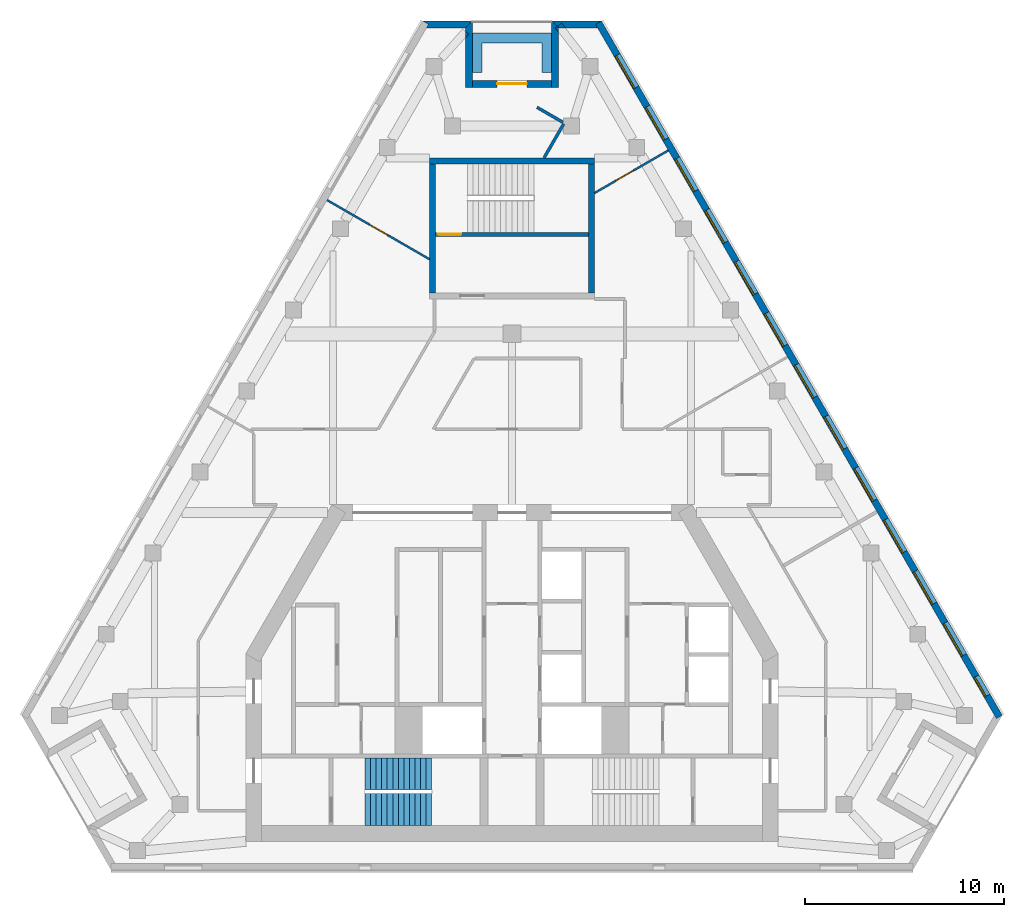
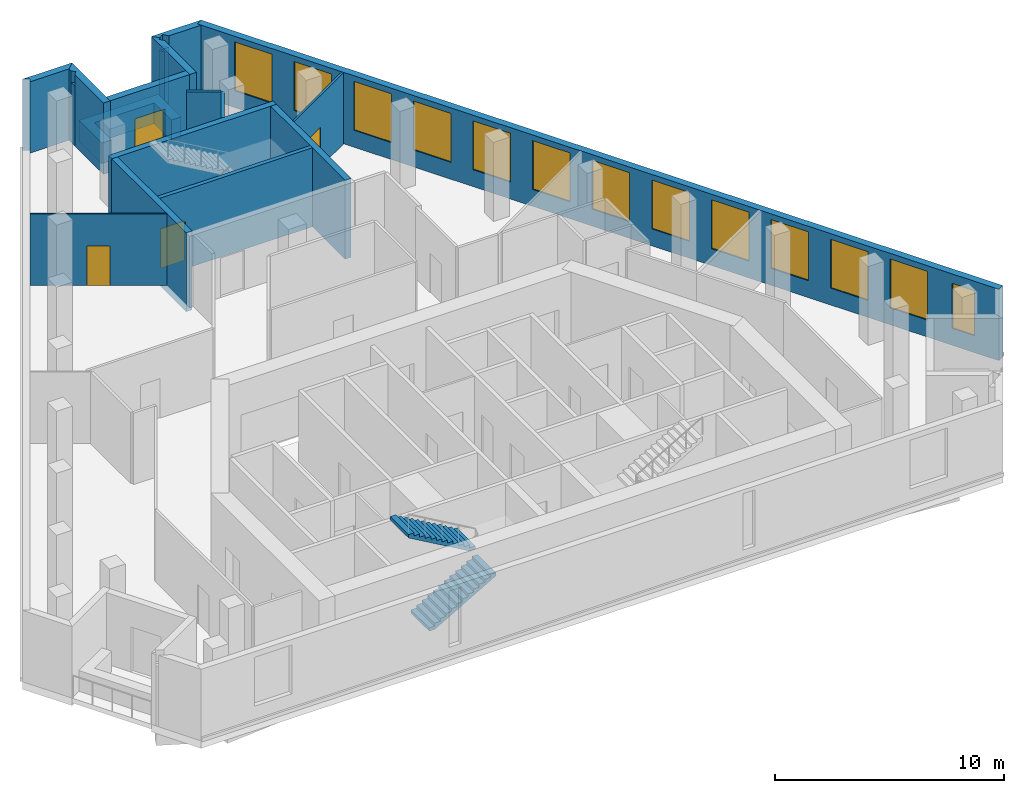
# One storey, part 6 of 8: 18 walls, 13 windows, 4 doors, 2 stair flights, 17 openings, 1 element without a shape of its own.
"""IFC4 building model written with IfcOpenShell, lengths in metres."""

from ifc_helpers import new_model, si_unit, direction, frame, frame_2d, origin, place, context, subcontext, project, spatial, polyline, rectangle, outline, extrude, material, layer, layer_set, type_object, element, fill, aggregate, save


model = new_model("IFC4")

# Units and contexts
model_context = context("Model", 3, precision=1e-05, world=origin(), true_north=direction((0.0, 1.0)))
body_context = subcontext(model_context, "Body", "Model", "MODEL_VIEW")
ifc_project = project(units=[si_unit("LENGTHUNIT", "METRE"), si_unit("AREAUNIT", "SQUARE_METRE"), si_unit("VOLUMEUNIT", "CUBIC_METRE"), si_unit("PLANEANGLEUNIT", "RADIAN"), si_unit("MASSUNIT", "GRAM", prefix="KILO")], contexts=[model_context])

# Site, building, storey
site_placement = place(None, origin())
site = spatial("IfcSite", under=ifc_project, at=site_placement, CompositionType="ELEMENT")
building_placement = place(site_placement, origin())
building = spatial("IfcBuilding", under=site, at=building_placement, Name="Fogline Exchange Tower", CompositionType="ELEMENT")
storey_placement = place(building_placement, frame((0.0, 0.0, 314.10009765625)))
storey = spatial("IfcBuildingStorey", under=building, at=storey_placement, Name="L71", CompositionType="ELEMENT", Elevation=314.10009765625)

# Wall, opening, door
ifc_material_1 = material(Name="Concrete C40", Category="concrete")
ifc_layer_1 = layer(ifc_material_1, 0.199951171875)
ifc_layer_set_1 = layer_set([ifc_layer_1], Name="CW20R")
wall_type_1 = type_object("IfcWallType", Name="CW20R", PredefinedType="SOLIDWALL", material=ifc_layer_set_1)
wall_1_placement = place(storey_placement, frame((-3.85009765625, 32.007080078125, -0.400146484375), z_axis=(0.0, 0.0, 1.0), x_axis=(1.0, 0.0, 0.0)))
wall_1 = element("IfcWall", 1, at=wall_1_placement, inside=storey, type_object=wall_type_1, Name="Stair enclosure wall ST3", PredefinedType="SOLIDWALL", context=body_context, shape_type="SweptSolid", body=[
    extrude(rectangle(XDim=7.7001953125, YDim=0.199951171875, at=frame_2d((3.85009765625, 0.0))), origin(), (0.0, 0.0, 1.0), 4.199951171875),
])
opening_1_placement = place(wall_1_placement, frame((0.10009765625, 0.0, 0.39990234375)))
opening_1 = element("IfcOpeningElement", 2, at=opening_1_placement, cuts=wall_1, Name="Opening T22-C023", PredefinedType="OPENING", context=body_context, shape_type="SweptSolid", body=[
    extrude(rectangle(XDim=1.199951171875, YDim=2.10009765625, at=frame_2d((0.60009765625, 1.050048828125))), frame((0.0, 0.10986328125, 0.0), z_axis=(0.0, -1.0, 0.0), x_axis=(1.0, 0.0, 0.0)), (0.0, 0.0, 1.0), 0.219970703125),
])
ifc_material_2 = material(Name="Steel and timber fire door", Category="steel")
door_type_1 = type_object("IfcDoorType", Name="D-ST1", OperationType="SINGLE_SWING_LEFT", PredefinedType="DOOR", material=ifc_material_2)
door_1_placement = place(opening_1_placement, origin())
door_1 = element("IfcDoor", 3, at=door_1_placement, inside=storey, type_object=door_type_1, Name="Stair door ST3", OperationType="SINGLE_SWING_LEFT", OverallHeight=2.10009765625, OverallWidth=1.199951171875, PredefinedType="DOOR", context=body_context, shape_type="SweptSolid", body=[
    extrude(rectangle(XDim=1.199951171875, YDim=2.10009765625, at=frame_2d((0.60009765625, 1.050048828125))), frame((0.0, 0.02490234375, 0.0), z_axis=(0.0, -1.0, 0.0), x_axis=(1.0, 0.0, 0.0)), (0.0, 0.0, 1.0), 0.050048828125),
])
fill(opening_1, door_1)

# Walls
ifc_layer_2 = layer(ifc_material_1, 0.300048828125)
ifc_layer_set_2 = layer_set([ifc_layer_2], Name="CW30")
wall_type_2 = type_object("IfcWallType", Name="CW30", PredefinedType="SOLIDWALL", material=ifc_layer_set_2)
wall_2_placement = place(storey_placement, frame((-4.14990234375, 35.70703125, -0.400146484375), z_axis=(0.0, 0.0, 1.0), x_axis=(1.0, 0.0, 0.0)))
element("IfcWall", 4, at=wall_2_placement, inside=storey, type_object=wall_type_2, Name="Stair enclosure wall ST3", PredefinedType="SOLIDWALL", context=body_context, shape_type="SweptSolid", body=[
    extrude(rectangle(XDim=8.2998046875, YDim=0.300048828125, at=frame_2d((4.14990234375, 0.0))), origin(), (0.0, 0.0, 1.0), 4.199951171875),
])
for number, where, z_axis, x_axis, name in (
    (5, (-4.0, 29.056884765625, -0.400146484375), (0.0, 0.0, 1.0), (0.0, 1.0, 0.0), "Stair enclosure wall ST3"),
    (6, (4.0, 29.056884765625, -0.400146484375), (0.0, 0.0, 1.0), (0.0, 1.0, 0.0), "Stair enclosure wall ST3"),
):
    element("IfcWall", number, at=place(storey_placement, frame(where, z_axis=z_axis, x_axis=x_axis)), inside=storey, type_object=wall_type_2, Name=name, PredefinedType="SOLIDWALL", context=body_context, shape_type="SweptSolid", body=[
        extrude(rectangle(XDim=6.5, YDim=0.300048828125, at=frame_2d((3.25, 0.0))), origin(), (0.0, 0.0, 1.0), 4.199951171875),
    ])

# Wall, openings, windows
ifc_material_3 = material(Name="Brick masonry", Category="masonry")
ifc_layer_3 = layer(ifc_material_3, 0.340087890625)
ifc_layer_set_3 = layer_set([ifc_layer_3], Name="FW1")
wall_type_3 = type_object("IfcWallType", Name="FW1", PredefinedType="SOLIDWALL", material=ifc_layer_set_3)
wall_3_placement = place(storey_placement, frame((24.532470703125, 7.709228515625, 0.0), z_axis=(0.0, 0.0, 1.0), x_axis=(-0.499998406252, 0.866026323933, 0.0)))
wall_3 = element("IfcWall", 7, at=wall_3_placement, inside=storey, type_object=wall_type_3, Name="Brick wall L71 E", PredefinedType="SOLIDWALL", context=body_context, shape_type="SweptSolid", body=[
    extrude(rectangle(XDim=40.359619140625, YDim=0.340087890625, at=frame_2d((20.1796875, 0.0))), origin(), (0.0, 0.0, 1.0), 3.7998046875),
])
opening_2_placement = place(wall_3_placement, frame((3.58984375, 0.0, 0.89990234375)))
opening_2 = element("IfcOpeningElement", 8, at=opening_2_placement, cuts=wall_3, Name="Opening W3", PredefinedType="OPENING", context=body_context, shape_type="SweptSolid", body=[
    extrude(rectangle(XDim=1.885009765625, YDim=2.60009765625, at=frame_2d((0.9423828125, 1.300048828125))), frame((0.0, 0.18017578125, 0.0), z_axis=(0.0, -1.0, 0.0), x_axis=(1.0, 0.0, 0.0)), (0.0, 0.0, 1.0), 0.360107421875),
])
opening_3_placement = place(wall_3_placement, frame((6.58984375, 0.0, 0.89990234375)))
opening_3 = element("IfcOpeningElement", 9, at=opening_3_placement, cuts=wall_3, Name="Opening W3", PredefinedType="OPENING", context=body_context, shape_type="SweptSolid", body=[
    extrude(rectangle(XDim=1.885009765625, YDim=2.60009765625, at=frame_2d((0.9423828125, 1.300048828125))), frame((0.0, 0.18017578125, 0.0), z_axis=(0.0, -1.0, 0.0), x_axis=(1.0, 0.0, 0.0)), (0.0, 0.0, 1.0), 0.360107421875),
])
opening_4_placement = place(wall_3_placement, frame((9.58984375, 0.0, 0.89990234375)))
opening_4 = element("IfcOpeningElement", 10, at=opening_4_placement, cuts=wall_3, Name="Opening W3", PredefinedType="OPENING", context=body_context, shape_type="SweptSolid", body=[
    extrude(rectangle(XDim=1.885009765625, YDim=2.60009765625, at=frame_2d((0.9423828125, 1.300048828125))), frame((0.0, 0.18017578125, 0.0), z_axis=(0.0, -1.0, 0.0), x_axis=(1.0, 0.0, 0.0)), (0.0, 0.0, 1.0), 0.360107421875),
])
opening_5_placement = place(wall_3_placement, frame((12.58984375, 0.0, 0.89990234375)))
opening_5 = element("IfcOpeningElement", 11, at=opening_5_placement, cuts=wall_3, Name="Opening W3", PredefinedType="OPENING", context=body_context, shape_type="SweptSolid", body=[
    extrude(rectangle(XDim=1.885009765625, YDim=2.60009765625, at=frame_2d((0.9423828125, 1.300048828125))), frame((0.0, 0.18017578125, 0.0), z_axis=(0.0, -1.0, 0.0), x_axis=(1.0, 0.0, 0.0)), (0.0, 0.0, 1.0), 0.360107421875),
])
opening_6_placement = place(wall_3_placement, frame((15.58984375, 0.0, 0.89990234375)))
opening_6 = element("IfcOpeningElement", 12, at=opening_6_placement, cuts=wall_3, Name="Opening W3", PredefinedType="OPENING", context=body_context, shape_type="SweptSolid", body=[
    extrude(rectangle(XDim=1.885009765625, YDim=2.60009765625, at=frame_2d((0.9423828125, 1.300048828125))), frame((0.0, 0.18017578125, 0.0), z_axis=(0.0, -1.0, 0.0), x_axis=(1.0, 0.0, 0.0)), (0.0, 0.0, 1.0), 0.360107421875),
])
opening_7_placement = place(wall_3_placement, frame((18.58984375, 0.0, 0.89990234375)))
opening_7 = element("IfcOpeningElement", 13, at=opening_7_placement, cuts=wall_3, Name="Opening W3", PredefinedType="OPENING", context=body_context, shape_type="SweptSolid", body=[
    extrude(rectangle(XDim=1.885009765625, YDim=2.60009765625, at=frame_2d((0.9423828125, 1.300048828125))), frame((0.0, 0.18017578125, 0.0), z_axis=(0.0, -1.0, 0.0), x_axis=(1.0, 0.0, 0.0)), (0.0, 0.0, 1.0), 0.360107421875),
])
opening_8_placement = place(wall_3_placement, frame((21.58984375, 0.0, 0.89990234375)))
opening_8 = element("IfcOpeningElement", 14, at=opening_8_placement, cuts=wall_3, Name="Opening W3", PredefinedType="OPENING", context=body_context, shape_type="SweptSolid", body=[
    extrude(rectangle(XDim=1.885009765625, YDim=2.60009765625, at=frame_2d((0.9423828125, 1.300048828125))), frame((0.0, 0.18017578125, 0.0), z_axis=(0.0, -1.0, 0.0), x_axis=(1.0, 0.0, 0.0)), (0.0, 0.0, 1.0), 0.360107421875),
])
opening_9_placement = place(wall_3_placement, frame((24.58984375, 0.0, 0.89990234375)))
opening_9 = element("IfcOpeningElement", 15, at=opening_9_placement, cuts=wall_3, Name="Opening W3", PredefinedType="OPENING", context=body_context, shape_type="SweptSolid", body=[
    extrude(rectangle(XDim=1.885009765625, YDim=2.60009765625, at=frame_2d((0.9423828125, 1.300048828125))), frame((0.0, 0.18017578125, 0.0), z_axis=(0.0, -1.0, 0.0), x_axis=(1.0, 0.0, 0.0)), (0.0, 0.0, 1.0), 0.360107421875),
])
opening_10_placement = place(wall_3_placement, frame((27.58984375, 0.0, 0.89990234375)))
opening_10 = element("IfcOpeningElement", 16, at=opening_10_placement, cuts=wall_3, Name="Opening W3", PredefinedType="OPENING", context=body_context, shape_type="SweptSolid", body=[
    extrude(rectangle(XDim=1.885009765625, YDim=2.60009765625, at=frame_2d((0.9423828125, 1.300048828125))), frame((0.0, 0.18017578125, 0.0), z_axis=(0.0, -1.0, 0.0), x_axis=(1.0, 0.0, 0.0)), (0.0, 0.0, 1.0), 0.360107421875),
])
opening_11_placement = place(wall_3_placement, frame((30.58984375, 0.0, 0.89990234375)))
opening_11 = element("IfcOpeningElement", 17, at=opening_11_placement, cuts=wall_3, Name="Opening W3", PredefinedType="OPENING", context=body_context, shape_type="SweptSolid", body=[
    extrude(rectangle(XDim=1.885009765625, YDim=2.60009765625, at=frame_2d((0.9423828125, 1.300048828125))), frame((0.0, 0.18017578125, 0.0), z_axis=(0.0, -1.0, 0.0), x_axis=(1.0, 0.0, 0.0)), (0.0, 0.0, 1.0), 0.360107421875),
])
opening_12_placement = place(wall_3_placement, frame((33.58984375, 0.0, 0.89990234375)))
opening_12 = element("IfcOpeningElement", 18, at=opening_12_placement, cuts=wall_3, Name="Opening W3", PredefinedType="OPENING", context=body_context, shape_type="SweptSolid", body=[
    extrude(rectangle(XDim=1.885009765625, YDim=2.60009765625, at=frame_2d((0.9423828125, 1.300048828125))), frame((0.0, 0.18017578125, 0.0), z_axis=(0.0, -1.0, 0.0), x_axis=(1.0, 0.0, 0.0)), (0.0, 0.0, 1.0), 0.360107421875),
])
opening_13_placement = place(wall_3_placement, frame((36.58984375, 0.0, 0.89990234375)))
opening_13 = element("IfcOpeningElement", 19, at=opening_13_placement, cuts=wall_3, Name="Opening W3", PredefinedType="OPENING", context=body_context, shape_type="SweptSolid", body=[
    extrude(rectangle(XDim=1.885009765625, YDim=2.60009765625, at=frame_2d((0.9423828125, 1.300048828125))), frame((0.0, 0.18017578125, 0.0), z_axis=(0.0, -1.0, 0.0), x_axis=(1.0, 0.0, 0.0)), (0.0, 0.0, 1.0), 0.360107421875),
])
opening_14_placement = place(wall_3_placement, frame((1.237548828125, 0.0, 0.89990234375)))
opening_14 = element("IfcOpeningElement", 20, at=opening_14_placement, cuts=wall_3, Name="Opening W4", PredefinedType="OPENING", context=body_context, shape_type="SweptSolid", body=[
    extrude(rectangle(XDim=1.114990234375, YDim=2.39990234375, at=frame_2d((0.5576171875, 1.199951171875))), frame((0.0, 0.18017578125, 0.0), z_axis=(0.0, -1.0, 0.0), x_axis=(1.0, 0.0, 0.0)), (0.0, 0.0, 1.0), 0.360107421875),
])
ifc_material_4 = material(Name="Aluminium and glass", Category="aluminium")
window_type_1 = type_object("IfcWindowType", Name="W3", PartitioningType="SINGLE_PANEL", PredefinedType="WINDOW", material=ifc_material_4)
window_1_placement = place(opening_2_placement, origin())
window_1 = element("IfcWindow", 21, at=window_1_placement, inside=storey, type_object=window_type_1, Name="W3 W3", OverallHeight=2.60009765625, OverallWidth=1.885009765625, PartitioningType="SINGLE_PANEL", PredefinedType="WINDOW", context=body_context, shape_type="SweptSolid", body=[
    extrude(rectangle(XDim=1.885009765625, YDim=2.60009765625, at=frame_2d((0.9423828125, 1.300048828125))), frame((0.0, 0.110107421875, 0.0), z_axis=(0.0, -1.0, 0.0), x_axis=(1.0, 0.0, 0.0)), (0.0, 0.0, 1.0), 0.06005859375),
])
fill(opening_2, window_1)
window_2_placement = place(opening_3_placement, origin())
window_2 = element("IfcWindow", 22, at=window_2_placement, inside=storey, type_object=window_type_1, Name="W3 W3", OverallHeight=2.60009765625, OverallWidth=1.885009765625, PartitioningType="SINGLE_PANEL", PredefinedType="WINDOW", context=body_context, shape_type="SweptSolid", body=[
    extrude(rectangle(XDim=1.885009765625, YDim=2.60009765625, at=frame_2d((0.9423828125, 1.300048828125))), frame((0.0, 0.110107421875, 0.0), z_axis=(0.0, -1.0, 0.0), x_axis=(1.0, 0.0, 0.0)), (0.0, 0.0, 1.0), 0.06005859375),
])
fill(opening_3, window_2)
window_3_placement = place(opening_4_placement, origin())
window_3 = element("IfcWindow", 23, at=window_3_placement, inside=storey, type_object=window_type_1, Name="W3 W3", OverallHeight=2.60009765625, OverallWidth=1.885009765625, PartitioningType="SINGLE_PANEL", PredefinedType="WINDOW", context=body_context, shape_type="SweptSolid", body=[
    extrude(rectangle(XDim=1.885009765625, YDim=2.60009765625, at=frame_2d((0.9423828125, 1.300048828125))), frame((0.0, 0.110107421875, 0.0), z_axis=(0.0, -1.0, 0.0), x_axis=(1.0, 0.0, 0.0)), (0.0, 0.0, 1.0), 0.06005859375),
])
fill(opening_4, window_3)
window_4_placement = place(opening_5_placement, origin())
window_4 = element("IfcWindow", 24, at=window_4_placement, inside=storey, type_object=window_type_1, Name="W3 W3", OverallHeight=2.60009765625, OverallWidth=1.885009765625, PartitioningType="SINGLE_PANEL", PredefinedType="WINDOW", context=body_context, shape_type="SweptSolid", body=[
    extrude(rectangle(XDim=1.885009765625, YDim=2.60009765625, at=frame_2d((0.9423828125, 1.300048828125))), frame((0.0, 0.110107421875, 0.0), z_axis=(0.0, -1.0, 0.0), x_axis=(1.0, 0.0, 0.0)), (0.0, 0.0, 1.0), 0.06005859375),
])
fill(opening_5, window_4)
window_5_placement = place(opening_6_placement, origin())
window_5 = element("IfcWindow", 25, at=window_5_placement, inside=storey, type_object=window_type_1, Name="W3 W3", OverallHeight=2.60009765625, OverallWidth=1.885009765625, PartitioningType="SINGLE_PANEL", PredefinedType="WINDOW", context=body_context, shape_type="SweptSolid", body=[
    extrude(rectangle(XDim=1.885009765625, YDim=2.60009765625, at=frame_2d((0.9423828125, 1.300048828125))), frame((0.0, 0.110107421875, 0.0), z_axis=(0.0, -1.0, 0.0), x_axis=(1.0, 0.0, 0.0)), (0.0, 0.0, 1.0), 0.06005859375),
])
fill(opening_6, window_5)
window_6_placement = place(opening_7_placement, origin())
window_6 = element("IfcWindow", 26, at=window_6_placement, inside=storey, type_object=window_type_1, Name="W3 W3", OverallHeight=2.60009765625, OverallWidth=1.885009765625, PartitioningType="SINGLE_PANEL", PredefinedType="WINDOW", context=body_context, shape_type="SweptSolid", body=[
    extrude(rectangle(XDim=1.885009765625, YDim=2.60009765625, at=frame_2d((0.9423828125, 1.300048828125))), frame((0.0, 0.110107421875, 0.0), z_axis=(0.0, -1.0, 0.0), x_axis=(1.0, 0.0, 0.0)), (0.0, 0.0, 1.0), 0.06005859375),
])
fill(opening_7, window_6)
window_7_placement = place(opening_8_placement, origin())
window_7 = element("IfcWindow", 27, at=window_7_placement, inside=storey, type_object=window_type_1, Name="W3 W3", OverallHeight=2.60009765625, OverallWidth=1.885009765625, PartitioningType="SINGLE_PANEL", PredefinedType="WINDOW", context=body_context, shape_type="SweptSolid", body=[
    extrude(rectangle(XDim=1.885009765625, YDim=2.60009765625, at=frame_2d((0.9423828125, 1.300048828125))), frame((0.0, 0.110107421875, 0.0), z_axis=(0.0, -1.0, 0.0), x_axis=(1.0, 0.0, 0.0)), (0.0, 0.0, 1.0), 0.06005859375),
])
fill(opening_8, window_7)
window_8_placement = place(opening_9_placement, origin())
window_8 = element("IfcWindow", 28, at=window_8_placement, inside=storey, type_object=window_type_1, Name="W3 W3", OverallHeight=2.60009765625, OverallWidth=1.885009765625, PartitioningType="SINGLE_PANEL", PredefinedType="WINDOW", context=body_context, shape_type="SweptSolid", body=[
    extrude(rectangle(XDim=1.885009765625, YDim=2.60009765625, at=frame_2d((0.9423828125, 1.300048828125))), frame((0.0, 0.110107421875, 0.0), z_axis=(0.0, -1.0, 0.0), x_axis=(1.0, 0.0, 0.0)), (0.0, 0.0, 1.0), 0.06005859375),
])
fill(opening_9, window_8)
window_9_placement = place(opening_10_placement, origin())
window_9 = element("IfcWindow", 29, at=window_9_placement, inside=storey, type_object=window_type_1, Name="W3 W3", OverallHeight=2.60009765625, OverallWidth=1.885009765625, PartitioningType="SINGLE_PANEL", PredefinedType="WINDOW", context=body_context, shape_type="SweptSolid", body=[
    extrude(rectangle(XDim=1.885009765625, YDim=2.60009765625, at=frame_2d((0.9423828125, 1.300048828125))), frame((0.0, 0.110107421875, 0.0), z_axis=(0.0, -1.0, 0.0), x_axis=(1.0, 0.0, 0.0)), (0.0, 0.0, 1.0), 0.06005859375),
])
fill(opening_10, window_9)
window_10_placement = place(opening_11_placement, origin())
window_10 = element("IfcWindow", 30, at=window_10_placement, inside=storey, type_object=window_type_1, Name="W3 W3", OverallHeight=2.60009765625, OverallWidth=1.885009765625, PartitioningType="SINGLE_PANEL", PredefinedType="WINDOW", context=body_context, shape_type="SweptSolid", body=[
    extrude(rectangle(XDim=1.885009765625, YDim=2.60009765625, at=frame_2d((0.9423828125, 1.300048828125))), frame((0.0, 0.110107421875, 0.0), z_axis=(0.0, -1.0, 0.0), x_axis=(1.0, 0.0, 0.0)), (0.0, 0.0, 1.0), 0.06005859375),
])
fill(opening_11, window_10)
window_11_placement = place(opening_12_placement, origin())
window_11 = element("IfcWindow", 31, at=window_11_placement, inside=storey, type_object=window_type_1, Name="W3 W3", OverallHeight=2.60009765625, OverallWidth=1.885009765625, PartitioningType="SINGLE_PANEL", PredefinedType="WINDOW", context=body_context, shape_type="SweptSolid", body=[
    extrude(rectangle(XDim=1.885009765625, YDim=2.60009765625, at=frame_2d((0.9423828125, 1.300048828125))), frame((0.0, 0.110107421875, 0.0), z_axis=(0.0, -1.0, 0.0), x_axis=(1.0, 0.0, 0.0)), (0.0, 0.0, 1.0), 0.06005859375),
])
fill(opening_12, window_11)
window_12_placement = place(opening_13_placement, origin())
window_12 = element("IfcWindow", 32, at=window_12_placement, inside=storey, type_object=window_type_1, Name="W3 W3", OverallHeight=2.60009765625, OverallWidth=1.885009765625, PartitioningType="SINGLE_PANEL", PredefinedType="WINDOW", context=body_context, shape_type="SweptSolid", body=[
    extrude(rectangle(XDim=1.885009765625, YDim=2.60009765625, at=frame_2d((0.9423828125, 1.300048828125))), frame((0.0, 0.110107421875, 0.0), z_axis=(0.0, -1.0, 0.0), x_axis=(1.0, 0.0, 0.0)), (0.0, 0.0, 1.0), 0.06005859375),
])
fill(opening_13, window_12)
window_type_2 = type_object("IfcWindowType", Name="W4", PartitioningType="SINGLE_PANEL", PredefinedType="WINDOW", material=ifc_material_4)
window_13_placement = place(opening_14_placement, origin())
window_13 = element("IfcWindow", 33, at=window_13_placement, inside=storey, type_object=window_type_2, Name="W4 W4", OverallHeight=2.39990234375, OverallWidth=1.114990234375, PartitioningType="SINGLE_PANEL", PredefinedType="WINDOW", context=body_context, shape_type="SweptSolid", body=[
    extrude(rectangle(XDim=1.114990234375, YDim=2.39990234375, at=frame_2d((0.5576171875, 1.199951171875))), frame((0.0, 0.110107421875, 0.0), z_axis=(0.0, -1.0, 0.0), x_axis=(1.0, 0.0, 0.0)), (0.0, 0.0, 1.0), 0.06005859375),
])
fill(opening_14, window_13)

# Walls
wall_4_placement = place(storey_placement, origin())
element("IfcWall", 34, at=wall_4_placement, inside=storey, type_object=wall_type_3, Name="Brick wall L71 N-c1", PredefinedType="SOLIDWALL", context=body_context, shape_type="SweptSolid", body=[
    extrude(outline(polyline([(2.33984375, 42.406005859375), (2.27587890625, 42.469970703125), (2.498779296875, 42.64111328125), (2.678955078125, 42.406005859375), (2.33984375, 42.406005859375)])), origin(), (0.0, 0.0, 1.0), 3.199951171875),
])
wall_5_placement = place(storey_placement, origin())
element("IfcWall", 35, at=wall_5_placement, inside=storey, type_object=wall_type_3, Name="Brick wall L71 N-c1", PredefinedType="SOLIDWALL", context=body_context, shape_type="SweptSolid", body=[
    extrude(outline(polyline([(4.5009765625, 42.747314453125), (4.501220703125, 42.74658203125), (4.206298828125, 42.576416015625), (4.3046875, 42.406005859375), (2.678955078125, 42.406005859375), (2.498779296875, 42.64111328125), (2.27587890625, 42.469970703125), (1.998779296875, 42.7470703125), (1.9990234375, 42.747314453125), (4.5009765625, 42.747314453125)])), origin(), (0.0, 0.0, 1.0), 3.7998046875),
])
wall_6_placement = place(storey_placement, origin())
element("IfcWall", 36, at=wall_6_placement, inside=storey, type_object=wall_type_3, Name="Brick wall L71 N-s1", PredefinedType="SOLIDWALL", context=body_context, shape_type="SweptSolid", body=[
    extrude(outline(polyline([(2.340576171875, 42.406982421875), (2.340576171875, 42.18994140625), (2.181396484375, 42.3974609375), (2.27685546875, 42.470703125), (2.340576171875, 42.406982421875)])), origin(), (0.0, 0.0, 1.0), 3.199951171875),
])
wall_7_placement = place(storey_placement, origin())
element("IfcWall", 37, at=wall_7_placement, inside=storey, type_object=wall_type_3, Name="Brick wall L71 N-s1", PredefinedType="SOLIDWALL", context=body_context, shape_type="SweptSolid", body=[
    extrude(outline(polyline([(1.99951171875, 39.406005859375), (1.99951171875, 42.747802734375), (1.999755859375, 42.747802734375), (2.27685546875, 42.470703125), (2.181396484375, 42.3974609375), (2.340576171875, 42.18994140625), (2.340576171875, 39.406005859375), (1.99951171875, 39.406005859375)])), origin(), (0.0, 0.0, 1.0), 3.7998046875),
])

# Wall, opening, door
wall_8_placement = place(storey_placement, frame((2.0, 39.57666015625, 0.0), z_axis=(0.0, 0.0, 1.0), x_axis=(-1.0, 0.0, 0.0)))
wall_8 = element("IfcWall", 38, at=wall_8_placement, inside=storey, type_object=wall_type_3, Name="Brick wall L71 N-bk", PredefinedType="SOLIDWALL", context=body_context, shape_type="SweptSolid", body=[
    extrude(rectangle(XDim=4.0, YDim=0.340087890625, at=frame_2d((2.0, 0.0))), origin(), (0.0, 0.0, 1.0), 3.7998046875),
])
opening_15_placement = place(wall_8_placement, frame((1.25, 0.0, 0.0)))
opening_15 = element("IfcOpeningElement", 39, at=opening_15_placement, cuts=wall_8, Name="Opening T22-E141", PredefinedType="OPENING", context=body_context, shape_type="SweptSolid", body=[
    extrude(rectangle(XDim=1.5, YDim=2.39990234375, at=frame_2d((0.75, 1.199951171875))), frame((0.0, 0.18017578125, 0.0), z_axis=(0.0, -1.0, 0.0), x_axis=(1.0, 0.0, 0.0)), (0.0, 0.0, 1.0), 0.360107421875),
])
door_type_2 = type_object("IfcDoorType", Name="ED4", OperationType="SINGLE_SWING_LEFT", PredefinedType="DOOR", material=ifc_material_4)
door_2_placement = place(opening_15_placement, frame((1.5, 0.0, 0.0), z_axis=(0.0, 0.0, 1.0), x_axis=(-1.0, 0.0, 0.0)))
door_2 = element("IfcDoor", 40, at=door_2_placement, inside=storey, type_object=door_type_2, Name="Balcony door L71 N", OperationType="DOUBLE_DOOR_SINGLE_SWING", OverallHeight=2.39990234375, OverallWidth=1.5, PredefinedType="DOOR", context=body_context, shape_type="SweptSolid", body=[
    extrude(rectangle(XDim=1.5, YDim=2.39990234375, at=frame_2d((0.75, 1.199951171875))), frame((0.0, 0.02490234375, 0.0), z_axis=(0.0, -1.0, 0.0), x_axis=(1.0, 0.0, 0.0)), (0.0, 0.0, 1.0), 0.050048828125),
])
fill(opening_15, door_2)

# Walls
wall_9_placement = place(storey_placement, origin())
element("IfcWall", 41, at=wall_9_placement, inside=storey, type_object=wall_type_3, Name="Brick wall L71 N-s2", PredefinedType="SOLIDWALL", context=body_context, shape_type="SweptSolid", body=[
    extrude(outline(polyline([(-2.340576171875, 42.2197265625), (-2.186767578125, 42.08056640625), (-2.340576171875, 41.91015625), (-2.340576171875, 42.2197265625)])), origin(), (0.0, 0.0, 1.0), 3.199951171875),
])
wall_10_placement = place(storey_placement, origin())
element("IfcWall", 42, at=wall_10_placement, inside=storey, type_object=wall_type_3, Name="Brick wall L71 N-s2", PredefinedType="SOLIDWALL", context=body_context, shape_type="SweptSolid", body=[
    extrude(outline(polyline([(-1.99951171875, 39.406005859375), (-2.340576171875, 39.406005859375), (-2.340576171875, 41.91015625), (-2.186767578125, 42.08056640625), (-2.340576171875, 42.2197265625), (-2.340576171875, 42.406982421875), (-1.999755859375, 42.747802734375), (-1.99951171875, 42.747802734375), (-1.99951171875, 39.406005859375)])), origin(), (0.0, 0.0, 1.0), 3.7998046875),
])
wall_11_placement = place(storey_placement, origin())
element("IfcWall", 43, at=wall_11_placement, inside=storey, type_object=wall_type_3, Name="Brick wall L71 N-c2", PredefinedType="SOLIDWALL", context=body_context, shape_type="SweptSolid", body=[
    extrude(outline(polyline([(-4.3046875, 42.406005859375), (-4.206298828125, 42.576416015625), (-4.501220703125, 42.74658203125), (-4.5009765625, 42.747314453125), (-1.9990234375, 42.747314453125), (-1.998779296875, 42.7470703125), (-2.33984375, 42.406005859375), (-4.3046875, 42.406005859375)])), origin(), (0.0, 0.0, 1.0), 3.7998046875),
])
ifc_material_5 = material(Name="Concrete C30", Category="concrete")
ifc_layer_4 = layer(ifc_material_5, 0.199951171875)
ifc_layer_set_4 = layer_set([ifc_layer_4], Name="PL1")
wall_type_4 = type_object("IfcWallType", Name="PL1", PredefinedType="USERDEFINED", material=ifc_layer_set_4)
wall_12_placement = place(storey_placement, origin())
element("IfcWall", 44, at=wall_12_placement, inside=storey, type_object=wall_type_4, Name="PLANTER balcony L71 N", ObjectType="PLANTER", PredefinedType="USERDEFINED", context=body_context, shape_type="SweptSolid", body=[
    extrude(outline(polyline([(-1.5, 42.146728515625), (-2.0, 42.146728515625), (-2.0, 41.646728515625), (-2.0, 40.146728515625), (-1.5, 40.146728515625), (-1.5, 41.646728515625), (1.5, 41.646728515625), (1.5, 40.146728515625), (2.0, 40.146728515625), (2.0, 41.646728515625), (2.0, 42.146728515625), (1.5, 42.146728515625), (-1.5, 42.146728515625)])), origin(), (0.0, 0.0, 1.0), 1.099853515625),
])

# Wall, opening, door
ifc_material_6 = material(Name="Plasterboard partition, 2 layers each side on steel studs", Category="steel")
ifc_layer_5 = layer(ifc_material_6, 0.10009765625)
ifc_layer_set_5 = layer_set([ifc_layer_5], Name="PW1")
wall_type_5 = type_object("IfcWallType", Name="PW1", PredefinedType="PARTITIONING", material=ifc_layer_set_5)
wall_13_placement = place(storey_placement, frame((4.14990234375, 34.083984375, 0.0), z_axis=(0.0, 0.0, 1.0), x_axis=(0.866034117822, 0.499984906541, 0.0)))
wall_13 = element("IfcWall", 45, at=wall_13_placement, inside=storey, type_object=wall_type_5, Name="wall-L71-W030", PredefinedType="PARTITIONING", context=body_context, shape_type="SweptSolid", body=[
    extrude(rectangle(XDim=4.294677734375, YDim=0.10009765625, at=frame_2d((2.1474609375, 0.0))), origin(), (0.0, 0.0, 1.0), 3.7998046875),
])
opening_16_placement = place(wall_13_placement, frame((1.26611328125, 0.0, 0.0)))
opening_16 = element("IfcOpeningElement", 46, at=opening_16_placement, cuts=wall_13, Name="Opening T22-D009", PredefinedType="OPENING", context=body_context, shape_type="SweptSolid", body=[
    extrude(rectangle(XDim=1.0, YDim=2.10009765625, at=frame_2d((0.5, 1.050048828125))), frame((0.0, 0.06005859375, 0.0), z_axis=(0.0, -1.0, 0.0), x_axis=(1.0, 0.0, 0.0)), (0.0, 0.0, 1.0), 0.1201171875),
])
ifc_material_7 = material(Name="Timber door leaf with steel frame", Category="steel")
door_type_3 = type_object("IfcDoorType", Name="D1", OperationType="SINGLE_SWING_LEFT", PredefinedType="DOOR", material=ifc_material_7)
door_3_placement = place(opening_16_placement, origin())
door_3 = element("IfcDoor", 47, at=door_3_placement, inside=storey, type_object=door_type_3, Name="door-L71-D009", OperationType="SINGLE_SWING_LEFT", OverallHeight=2.10009765625, OverallWidth=1.0, PredefinedType="DOOR", context=body_context, shape_type="SweptSolid", body=[
    extrude(rectangle(XDim=1.0, YDim=2.10009765625, at=frame_2d((0.5, 1.050048828125))), frame((0.0, 0.02490234375, 0.0), z_axis=(0.0, -1.0, 0.0), x_axis=(1.0, 0.0, 0.0)), (0.0, 0.0, 1.0), 0.050048828125),
])
fill(opening_16, door_3)

wall_14_placement = place(storey_placement, frame((-4.14990234375, 30.752685546875, 0.0), z_axis=(0.0, 0.0, 1.0), x_axis=(-0.866031423615, 0.499989573202, 0.0)))
wall_14 = element("IfcWall", 48, at=wall_14_placement, inside=storey, type_object=wall_type_5, Name="wall-L71-W033", PredefinedType="PARTITIONING", context=body_context, shape_type="SweptSolid", body=[
    extrude(rectangle(XDim=5.960205078125, YDim=0.10009765625, at=frame_2d((2.97998046875, 0.0))), origin(), (0.0, 0.0, 1.0), 3.7998046875),
])
opening_17_placement = place(wall_14_placement, frame((2.47998046875, 0.0, 0.0)))
opening_17 = element("IfcOpeningElement", 49, at=opening_17_placement, cuts=wall_14, Name="Opening T22-D010", PredefinedType="OPENING", context=body_context, shape_type="SweptSolid", body=[
    extrude(rectangle(XDim=1.0, YDim=2.10009765625, at=frame_2d((0.5, 1.050048828125))), frame((0.0, 0.06005859375, 0.0), z_axis=(0.0, -1.0, 0.0), x_axis=(1.0, 0.0, 0.0)), (0.0, 0.0, 1.0), 0.1201171875),
])
door_4_placement = place(opening_17_placement, frame((1.0, 0.0, 0.0), z_axis=(0.0, 0.0, 1.0), x_axis=(-1.0, 0.0, 0.0)))
door_4 = element("IfcDoor", 50, at=door_4_placement, inside=storey, type_object=door_type_3, Name="door-L71-D010", OperationType="SINGLE_SWING_RIGHT", OverallHeight=2.10009765625, OverallWidth=1.0, PredefinedType="DOOR", context=body_context, shape_type="SweptSolid", body=[
    extrude(rectangle(XDim=1.0, YDim=2.10009765625, at=frame_2d((0.5, 1.050048828125))), frame((0.0, 0.02490234375, 0.0), z_axis=(0.0, -1.0, 0.0), x_axis=(1.0, 0.0, 0.0)), (0.0, 0.0, 1.0), 0.050048828125),
])
fill(opening_17, door_4)

# Walls
ifc_material_8 = material(Name="Plasterboard demising partition with mineral wool and acoustic board")
ifc_layer_6 = layer(ifc_material_8, 0.14990234375)
ifc_layer_set_6 = layer_set([ifc_layer_6], Name="PW3")
wall_type_6 = type_object("IfcWallType", Name="PW3", PredefinedType="PARTITIONING", material=ifc_layer_set_6)
wall_15_placement = place(storey_placement, frame((1.6142578125, 35.85693359375, 0.0), z_axis=(0.0, 0.0, 1.0), x_axis=(0.500054756813, 0.865993787616, 0.0)))
element("IfcWall", 51, at=wall_15_placement, inside=storey, type_object=wall_type_6, Name="wall-L71-W031", PredefinedType="PARTITIONING", context=body_context, shape_type="SweptSolid", body=[
    extrude(rectangle(XDim=1.971435546875, YDim=0.14990234375, at=frame_2d((0.98583984375, 0.0))), origin(), (0.0, 0.0, 1.0), 3.7998046875),
])
wall_16_placement = place(storey_placement, frame((2.5615234375, 37.64794921875, 0.0), z_axis=(0.0, 0.0, 1.0), x_axis=(-0.866012220445, 0.500022833518, 0.0)))
element("IfcWall", 52, at=wall_16_placement, inside=storey, type_object=wall_type_6, Name="wall-L71-W032", PredefinedType="PARTITIONING", context=body_context, shape_type="SweptSolid", body=[
    extrude(rectangle(XDim=1.5009765625, YDim=0.14990234375, at=frame_2d((0.75048828125, 0.0))), origin(), (0.0, 0.0, 1.0), 3.7998046875),
])

# Stair, stair flights
stair_type = type_object("IfcStairType", Name="STR26-1615", PredefinedType="HALF_TURN_STAIR", material=ifc_material_1)
stair_placement = place(storey_placement, origin())
stair = element("IfcStair", 53, at=stair_placement, inside=storey, type_object=stair_type, Name="Stair ST1", PredefinedType="HALF_TURN_STAIR")
stair_flight_type = type_object("IfcStairFlightType", Name="SF13-1615", PredefinedType="STRAIGHT", material=ifc_material_1)
stair_flight_1_placement = place(storey_placement, frame((-7.39990234375, 3.050048828125, 0.0), z_axis=(0.0, 0.0, 1.0), x_axis=(1.0, 0.0, 0.0)))
stair_flight_1 = element("IfcStairFlight", 54, at=stair_flight_1_placement, type_object=stair_flight_type, Name="ST1 flight 1", NumberOfRisers=13, NumberOfTreads=12, PredefinedType="STRAIGHT", RiserHeight=0.161538462, TreadLength=0.28, context=body_context, shape_type="SweptSolid", body=[
    extrude(outline(polyline([(0.0, 0.0), (0.0, 0.16162109375), (0.280029296875, 0.16162109375), (0.280029296875, 0.322998046875), (0.56005859375, 0.322998046875), (0.56005859375, 0.484619140625), (0.840087890625, 0.484619140625), (0.840087890625, 0.646240234375), (1.1201171875, 0.646240234375), (1.1201171875, 0.8076171875), (1.39990234375, 0.8076171875), (1.39990234375, 0.96923828125), (1.679931640625, 0.96923828125), (1.679931640625, 1.130859375), (1.9599609375, 1.130859375), (1.9599609375, 1.292236328125), (2.239990234375, 1.292236328125), (2.239990234375, 1.453857421875), (2.52001953125, 1.453857421875), (2.52001953125, 1.615478515625), (2.800048828125, 1.615478515625), (2.800048828125, 1.77685546875), (3.080078125, 1.77685546875), (3.080078125, 1.9384765625), (3.360107421875, 1.9384765625), (3.360107421875, 2.10009765625), (3.360107421875, 1.765380859375), (0.300048828125, 0.0), (0.0, 0.0)])), frame((0.0, 0.800048828125, 0.0), z_axis=(0.0, -1.0, 0.0), x_axis=(1.0, 0.0, 0.0)), (0.0, 0.0, 1.0), 1.60009765625),
])
stair_flight_2_placement = place(storey_placement, frame((-4.0400390625, 4.85009765625, 2.099853515625), z_axis=(0.0, 0.0, 1.0), x_axis=(-1.0, 0.0, 0.0)))
stair_flight_2 = element("IfcStairFlight", 55, at=stair_flight_2_placement, type_object=stair_flight_type, Name="ST1 flight 2", NumberOfRisers=13, NumberOfTreads=12, PredefinedType="STRAIGHT", RiserHeight=0.161538462, TreadLength=0.28, context=body_context, shape_type="SweptSolid", body=[
    extrude(outline(polyline([(0.0, 0.0), (0.0, 0.16162109375), (0.280029296875, 0.16162109375), (0.280029296875, 0.322998046875), (0.56005859375, 0.322998046875), (0.56005859375, 0.484619140625), (0.840087890625, 0.484619140625), (0.840087890625, 0.646240234375), (1.1201171875, 0.646240234375), (1.1201171875, 0.8076171875), (1.39990234375, 0.8076171875), (1.39990234375, 0.96923828125), (1.679931640625, 0.96923828125), (1.679931640625, 1.130859375), (1.9599609375, 1.130859375), (1.9599609375, 1.292236328125), (2.239990234375, 1.292236328125), (2.239990234375, 1.453857421875), (2.52001953125, 1.453857421875), (2.52001953125, 1.615478515625), (2.800048828125, 1.615478515625), (2.800048828125, 1.77685546875), (3.080078125, 1.77685546875), (3.080078125, 1.9384765625), (3.360107421875, 1.9384765625), (3.360107421875, 2.10009765625), (3.360107421875, 1.765380859375), (0.300048828125, 0.0), (0.0, 0.0)])), frame((0.0, 0.800048828125, 0.0), z_axis=(0.0, -1.0, 0.0), x_axis=(1.0, 0.0, 0.0)), (0.0, 0.0, 1.0), 1.60009765625),
])
aggregate(stair, [stair_flight_1, stair_flight_2])

save(model, "model.ifc")
